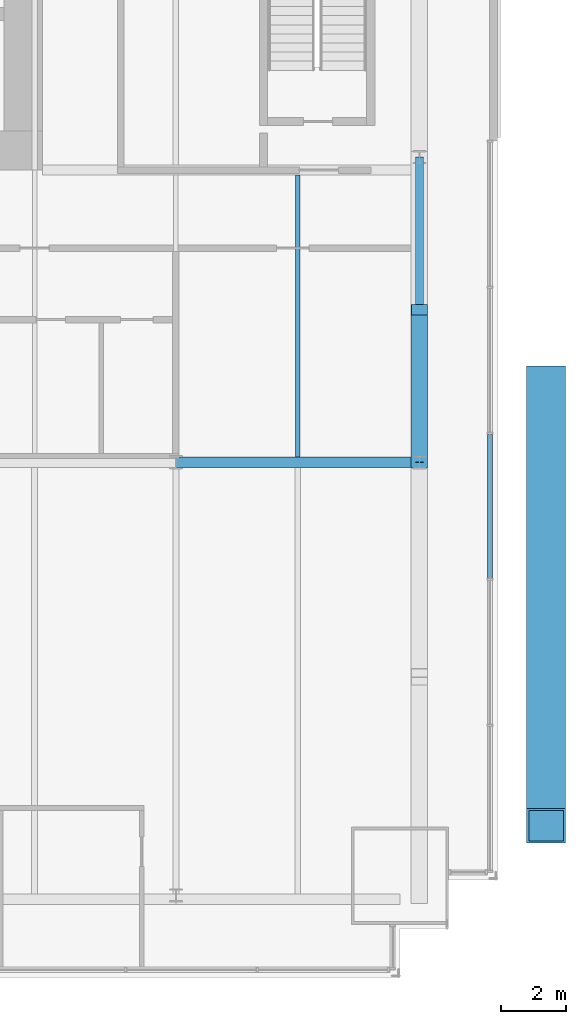
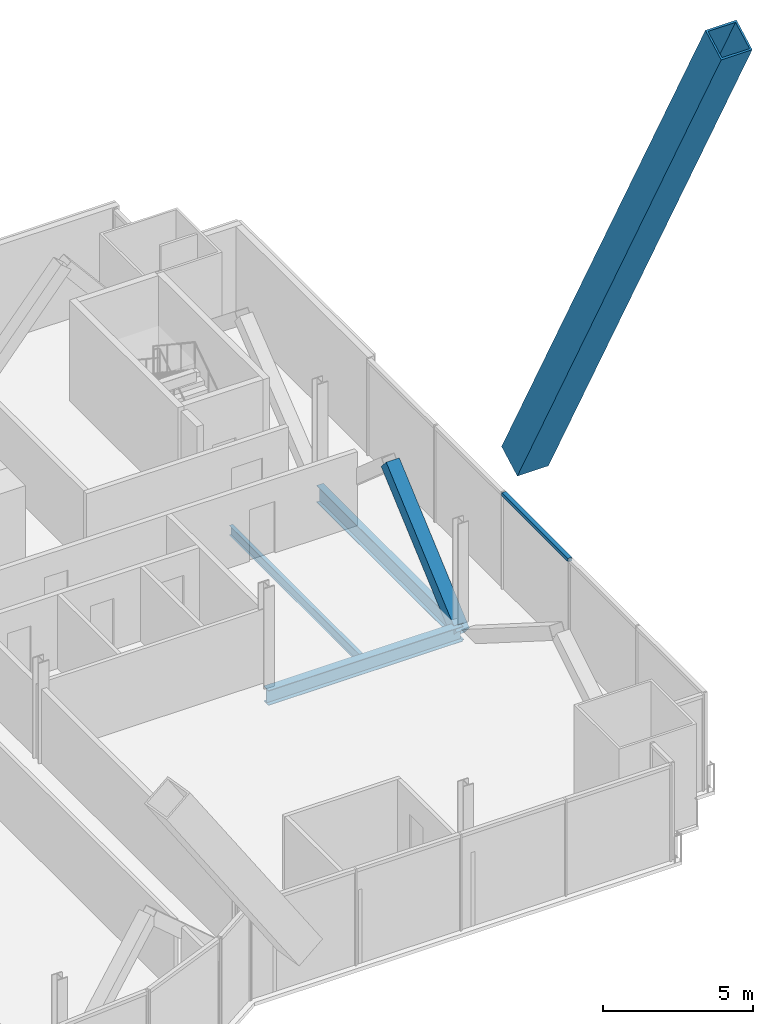
# One storey, part 14 of 23: 3 beams, 3 members, 1 element without a shape of its own.
"""IFC4 building model written with IfcOpenShell, lengths in metres."""

from ifc_helpers import new_model, si_unit, direction, frame, origin, origin_2d, place, context, subcontext, project, spatial, rectangle, hollow_rectangle, i_section, extrude, material, material_profile, profile_set, type_object, element, aggregate, save


model = new_model("IFC4")

# Units and contexts
model_context = context("Model", 3, precision=1e-05, world=origin(), true_north=direction((0.0, 1.0)))
body_context = subcontext(model_context, "Body", "Model", "MODEL_VIEW")
ifc_project = project(units=[si_unit("LENGTHUNIT", "METRE"), si_unit("AREAUNIT", "SQUARE_METRE"), si_unit("VOLUMEUNIT", "CUBIC_METRE"), si_unit("PLANEANGLEUNIT", "RADIAN"), si_unit("MASSUNIT", "GRAM", prefix="KILO")], contexts=[model_context])

# Site, building, storey
site_placement = place(None, origin())
site = spatial("IfcSite", under=ifc_project, at=site_placement, CompositionType="ELEMENT")
building_placement = place(site_placement, origin())
building = spatial("IfcBuilding", under=site, at=building_placement, Name="Bicima Exchange Tower", CompositionType="ELEMENT")
storey_placement = place(building_placement, frame((0.0, 0.0, 110.39990234375)))
storey = spatial("IfcBuildingStorey", under=building, at=storey_placement, Name="L23", CompositionType="ELEMENT", Elevation=110.39990234375)

# Curtain wall, member
ifc_material_1 = material(Name="Anodised bronze aluminium", Category="aluminium")
curtain_wall_type = type_object("IfcCurtainWallType", Name="End face glass wall", PredefinedType="NOTDEFINED", material=ifc_material_1)
curtain_wall_placement = place(storey_placement, origin())
curtain_wall = element("IfcCurtainWall", 1, at=curtain_wall_placement, inside=storey, type_object=curtain_wall_type, Name="End face glass wall L23 run 19", PredefinedType="NOTDEFINED")
ifc_material_profile_1 = material_profile(ifc_material_1, rectangle(XDim=0.159912109375, YDim=0.139892578125, at=origin_2d()))
ifc_profile_set_1 = profile_set([ifc_material_profile_1], Name="Anodised bronze aluminium")
member_type_1 = type_object("IfcMemberType", Name="End face glass wall transom 140 x 160", PredefinedType="USERDEFINED", material=ifc_profile_set_1)
member_1_placement = place(storey_placement, frame((35.77001953125, -25.569091796875, 3.880126953125), z_axis=(0.0, 1.0, 0.0), x_axis=(-1.0, 0.0, 0.0)))
member_1 = element("IfcMember", 2, at=member_1_placement, type_object=member_type_1, Name="End face glass wall transom 3.1", ObjectType="TRANSOM", PredefinedType="USERDEFINED", context=body_context, shape_type="SweptSolid", body=[
    extrude(rectangle(XDim=0.159912109375, YDim=0.139892578125, at=origin_2d()), origin(), (0.0, 0.0, 1.0), 4.436279296875),
])
aggregate(curtain_wall, [member_1])

# Beam
ifc_material_2 = material(Name="Steel ASTM A992 Gr 50", Category="steel")
ifc_material_profile_2 = material_profile(ifc_material_2, i_section(OverallWidth=0.256591796875, OverallDepth=0.693359375, WebThickness=0.014404296875, FlangeThickness=0.023681640625, at=origin_2d()))
ifc_profile_set_2 = profile_set([ifc_material_profile_2], Name="Steel ASTM A992 Gr 50")
beam_type_1 = type_object("IfcBeamType", Name="End girder W27x114", PredefinedType="BEAM", material=ifc_profile_set_2)
beam_1_placement = place(storey_placement, frame((33.60009765625, -12.60009765625, -0.49658203125), z_axis=(0.0, -1.0, 0.0), x_axis=(1.0, 0.0, 0.0)))
element("IfcBeam", 3, at=beam_1_placement, inside=storey, type_object=beam_type_1, Name="End girder", PredefinedType="BEAM", context=body_context, shape_type="SweptSolid", body=[
    extrude(i_section(OverallWidth=0.256591796875, OverallDepth=0.693359375, WebThickness=0.014404296875, FlangeThickness=0.023681640625, at=origin_2d()), origin(), (0.0, 0.0, 1.0), 9.39990234375),
])

# Member
ifc_material_3 = material(Name="Steel ASTM A572 Gr 50", Category="steel")
ifc_material_profile_3 = material_profile(ifc_material_3, hollow_rectangle(XDim=1.199951171875, YDim=1.199951171875, WallThickness=0.070068359375, at=origin_2d()))
ifc_profile_set_3 = profile_set([ifc_material_profile_3], Name="Steel ASTM A572 Gr 50")
member_type_2 = type_object("IfcMemberType", Name="Exo mega brace BOX 1200x1200x70", PredefinedType="BRACE", material=ifc_profile_set_3)
member_2_placement = place(storey_placement, frame((37.5, -19.556396484375, 3.85009765625), z_axis=(0.0, -0.474971300612, 0.880001286133), x_axis=(1.0, 0.0, 0.0)))
element("IfcMember", 4, at=member_2_placement, inside=storey, type_object=member_type_2, Name="Exo mega brace end", PredefinedType="BRACE", context=body_context, shape_type="SweptSolid", body=[
    extrude(hollow_rectangle(XDim=1.199951171875, YDim=1.199951171875, WallThickness=0.070068359375, at=origin_2d()), origin(), (0.0, 0.0, 1.0), 28.693115234375),
])

# Beam
ifc_material_profile_4 = material_profile(ifc_material_2, i_section(OverallWidth=0.140380859375, OverallDepth=0.40380859375, WebThickness=0.007080078125, FlangeThickness=0.01123046875, at=origin_2d()))
ifc_profile_set_4 = profile_set([ifc_material_profile_4], Name="Steel ASTM A992 Gr 50")
beam_type_2 = type_object("IfcBeamType", Name="Floor beam W16x31", PredefinedType="JOIST", material=ifc_profile_set_4)
beam_2_placement = place(storey_placement, frame((29.85009765625, -13.15234375, -0.351806640625), z_axis=(0.0, -1.0, 0.0), x_axis=(1.0, 0.0, 0.0)))
element("IfcBeam", 5, at=beam_2_placement, inside=storey, type_object=beam_type_2, Name="Floor beam", PredefinedType="JOIST", context=body_context, shape_type="SweptSolid", body=[
    extrude(i_section(OverallWidth=0.140380859375, OverallDepth=0.40380859375, WebThickness=0.007080078125, FlangeThickness=0.01123046875, at=origin_2d()), origin(), (0.0, 0.0, 1.0), 8.68505859375),
])

# Member
ifc_material_profile_5 = material_profile(ifc_material_3, hollow_rectangle(XDim=0.508056640625, YDim=0.508056640625, WallThickness=0.0146484375, at=origin_2d()))
ifc_profile_set_5 = profile_set([ifc_material_profile_5], Name="Steel ASTM A572 Gr 50")
member_type_3 = type_object("IfcMemberType", Name="Mega brace HSS20x20x5/8", PredefinedType="BRACE", material=ifc_profile_set_5)
member_3_placement = place(storey_placement, frame((33.60009765625, -22.0, -0.49658203125), z_axis=(0.0, 0.753557917662, 0.657381521439), x_axis=(-1.0, 0.0, 0.0)))
element("IfcMember", 6, at=member_3_placement, inside=storey, type_object=member_type_3, Name="Mega brace east end", PredefinedType="BRACE", context=body_context, shape_type="SweptSolid", body=[
    extrude(hollow_rectangle(XDim=0.508056640625, YDim=0.508056640625, WallThickness=0.0146484375, at=origin_2d()), origin(), (0.0, 0.0, 1.0), 6.237060546875),
])

# Beam
ifc_material_profile_6 = material_profile(ifc_material_2, i_section(OverallWidth=0.3251953125, OverallDepth=0.612060546875, WebThickness=0.0126953125, FlangeThickness=0.01904296875, at=origin_2d()))
ifc_profile_set_6 = profile_set([ifc_material_profile_6], Name="Steel ASTM A992 Gr 50")
beam_type_3 = type_object("IfcBeamType", Name="Row girder W24x104", PredefinedType="BEAM", material=ifc_profile_set_6)
beam_3_placement = place(storey_placement, frame((26.10009765625, -22.0, -0.4560546875), z_axis=(1.0, 0.0, 0.0), x_axis=(0.0, 1.0, 0.0)))
element("IfcBeam", 7, at=beam_3_placement, inside=storey, type_object=beam_type_3, Name="Row girder", PredefinedType="BEAM", context=body_context, shape_type="SweptSolid", body=[
    extrude(i_section(OverallWidth=0.3251953125, OverallDepth=0.612060546875, WebThickness=0.0126953125, FlangeThickness=0.01904296875, at=origin_2d()), origin(), (0.0, 0.0, 1.0), 7.5),
])

save(model, "model.ifc")
